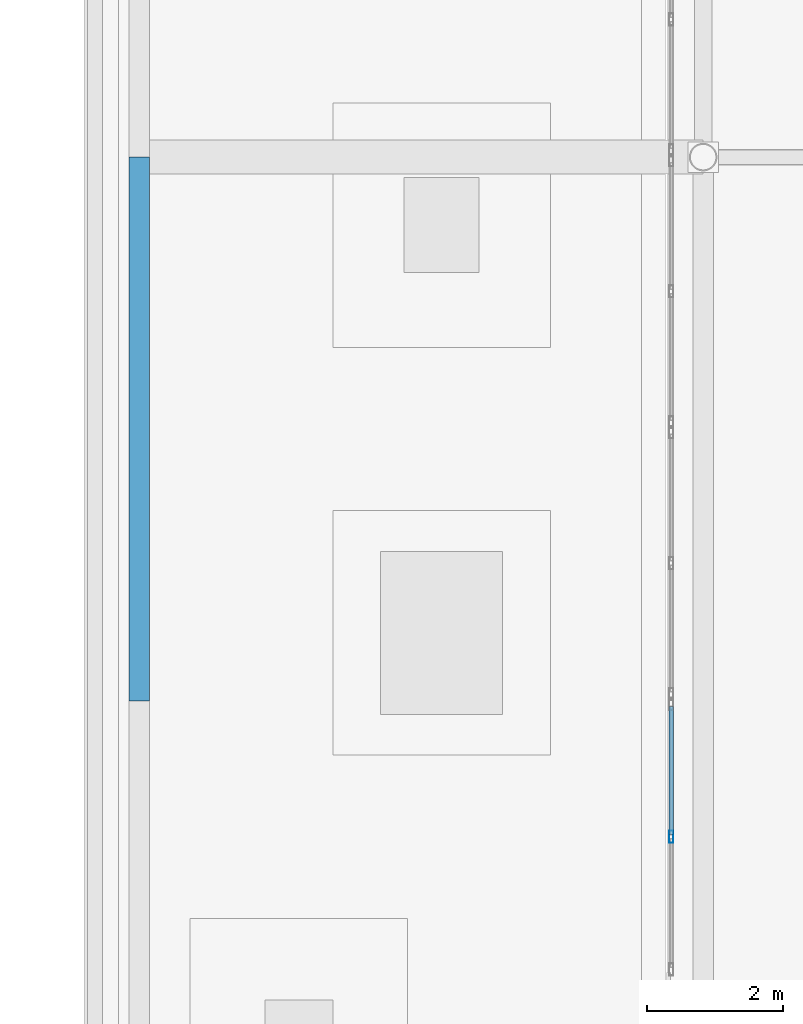
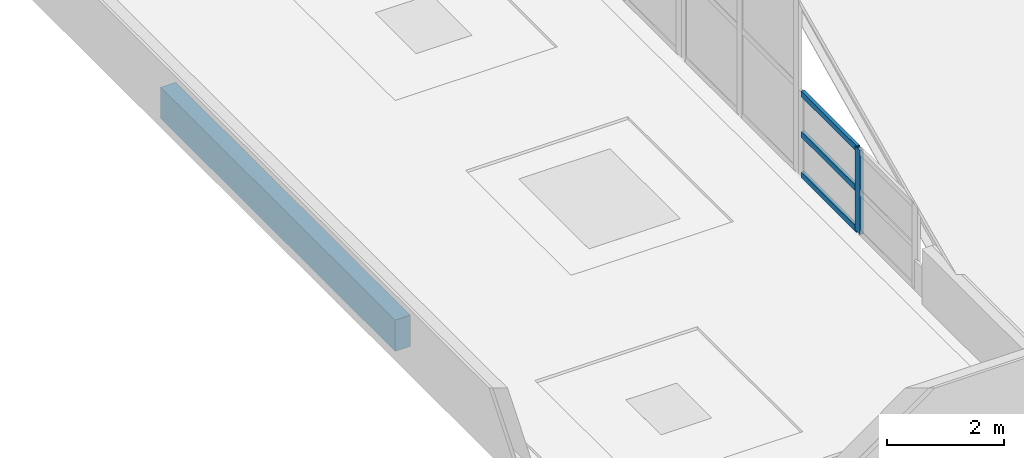
# One storey, part 31 of 184: 4 members, 1 beam, 1 element without a shape of its own.
"""IFC4 building model written with IfcOpenShell, lengths in metres."""

from ifc_helpers import new_model, si_unit, direction, frame, origin, origin_2d, place, context, subcontext, project, spatial, rectangle, hollow_rectangle, extrude, material, material_profile, profile_set, type_object, element, aggregate, save


model = new_model("IFC4")

# Units and contexts
model_context = context("Model", 3, precision=1e-05, world=origin(), true_north=direction((0.0, 1.0)))
body_context = subcontext(model_context, "Body", "Model", "MODEL_VIEW")
ifc_project = project(units=[si_unit("LENGTHUNIT", "METRE"), si_unit("AREAUNIT", "SQUARE_METRE"), si_unit("VOLUMEUNIT", "CUBIC_METRE"), si_unit("PLANEANGLEUNIT", "RADIAN"), si_unit("MASSUNIT", "GRAM", prefix="KILO")], contexts=[model_context])

# Site, building, storey
site_placement = place(None, origin())
site = spatial("IfcSite", under=ifc_project, at=site_placement, CompositionType="ELEMENT")
building_placement = place(site_placement, origin())
building = spatial("IfcBuilding", under=site, at=building_placement, Name="Selatvlak General Hospital", CompositionType="ELEMENT")
storey_placement = place(building_placement, frame((0.0, 0.0, 15.0)))
storey = spatial("IfcBuildingStorey", under=building, at=storey_placement, Name="L03", CompositionType="ELEMENT", Elevation=15.0)

# Beam
ifc_material_1 = material(Name="Concrete C40/50", Category="concrete")
ifc_material_profile_1 = material_profile(ifc_material_1, rectangle(XDim=0.300048828125, YDim=0.64990234375, at=origin_2d()), Name="RC-SP 300x650")
ifc_profile_set_1 = profile_set([ifc_material_profile_1], Name="Concrete C40/50")
beam_type = type_object("IfcBeamType", Name="BM-SP1", PredefinedType="SPANDREL", material=ifc_profile_set_1)
beam_placement = place(storey_placement, frame((15.050048828125, 60.0, -0.5849609375), z_axis=(0.0, 1.0, 0.0), x_axis=(-1.0, 0.0, 0.0)))
element("IfcBeam", 1, at=beam_placement, inside=storey, type_object=beam_type, Name="Beam BMR-L03-1292", PredefinedType="SPANDREL", context=body_context, shape_type="SweptSolid", body=[
    extrude(rectangle(XDim=0.300048828125, YDim=0.64990234375, at=origin_2d()), origin(), (0.0, 0.0, 1.0), 8.0),
])

# Curtain wall, members
ifc_material_2 = material(Name="Solar-control Low-E double glazing", Category="glass")
curtain_wall_type = type_object("IfcCurtainWallType", Name="CW-CW-05", PredefinedType="USERDEFINED", material=ifc_material_2)
curtain_wall_placement = place(storey_placement, origin())
curtain_wall = element("IfcCurtainWall", 2, at=curtain_wall_placement, inside=storey, type_object=curtain_wall_type, Name="Glazed facade curtain wall CW-L03-0723", ObjectType="STICK GLAZING WALL", PredefinedType="USERDEFINED")
ifc_material_3 = material(Name="Dark anodised aluminium mullion", Category="aluminium")
ifc_material_profile_2 = material_profile(ifc_material_3, hollow_rectangle(XDim=0.06494140625, YDim=0.179931640625, WallThickness=0.00439453125, at=origin_2d()), Name="AL-MUL 65x180x4.5")
ifc_profile_set_2 = profile_set([ifc_material_profile_2], Name="Dark anodised aluminium mullion")
member_type_1 = type_object("IfcMemberType", Name="CWM-02", PredefinedType="MULLION", material=ifc_profile_set_2)
member_1_placement = place(storey_placement, frame((22.8798828125, 58.0, 0.0), z_axis=(0.0, 0.0, 1.0), x_axis=(-1.0, 0.0, 0.0)))
member_1 = element("IfcMember", 3, at=member_1_placement, type_object=member_type_1, Name="CW-05 mullion 2", PredefinedType="MULLION", context=body_context, shape_type="SweptSolid", body=[
    extrude(hollow_rectangle(XDim=0.06494140625, YDim=0.179931640625, WallThickness=0.00439453125, at=origin_2d()), origin(), (0.0, 0.0, 1.0), 1.75),
])
ifc_material_profile_3 = material_profile(ifc_material_3, hollow_rectangle(XDim=0.06494140625, YDim=0.1201171875, WallThickness=0.00390625, at=origin_2d()), Name="AL-TRN 65x120x4")
ifc_profile_set_3 = profile_set([ifc_material_profile_3], Name="Dark anodised aluminium mullion")
member_type_2 = type_object("IfcMemberType", Name="CWT-01", PredefinedType="USERDEFINED", material=ifc_profile_set_3)
member_2_placement = place(storey_placement, frame((22.8798828125, 58.032470703125, 0.032470703125), z_axis=(0.0, 1.0, 0.0), x_axis=(-1.0, 0.0, 0.0)))
member_2 = element("IfcMember", 4, at=member_2_placement, type_object=member_type_2, Name="CW-05 transom 2.1", ObjectType="TRANSOM", PredefinedType="USERDEFINED", context=body_context, shape_type="SweptSolid", body=[
    extrude(hollow_rectangle(XDim=0.06494140625, YDim=0.1201171875, WallThickness=0.00390625, at=origin_2d()), origin(), (0.0, 0.0, 1.0), 1.887451171875),
])
member_3_placement = place(storey_placement, frame((22.8798828125, 58.032470703125, 0.875), z_axis=(0.0, 1.0, 0.0), x_axis=(-1.0, 0.0, 0.0)))
member_3 = element("IfcMember", 5, at=member_3_placement, type_object=member_type_2, Name="CW-05 transom 2.2", ObjectType="TRANSOM", PredefinedType="USERDEFINED", context=body_context, shape_type="SweptSolid", body=[
    extrude(hollow_rectangle(XDim=0.06494140625, YDim=0.1201171875, WallThickness=0.00390625, at=origin_2d()), origin(), (0.0, 0.0, 1.0), 1.887451171875),
])
member_4_placement = place(storey_placement, frame((22.8798828125, 58.032470703125, 1.717529296875), z_axis=(0.0, 1.0, 0.0), x_axis=(-1.0, 0.0, 0.0)))
member_4 = element("IfcMember", 6, at=member_4_placement, type_object=member_type_2, Name="CW-05 transom 2.3", ObjectType="TRANSOM", PredefinedType="USERDEFINED", context=body_context, shape_type="SweptSolid", body=[
    extrude(hollow_rectangle(XDim=0.06494140625, YDim=0.1201171875, WallThickness=0.00390625, at=origin_2d()), origin(), (0.0, 0.0, 1.0), 1.887451171875),
])
aggregate(curtain_wall, [member_1, member_2, member_3, member_4])

save(model, "model.ifc")
